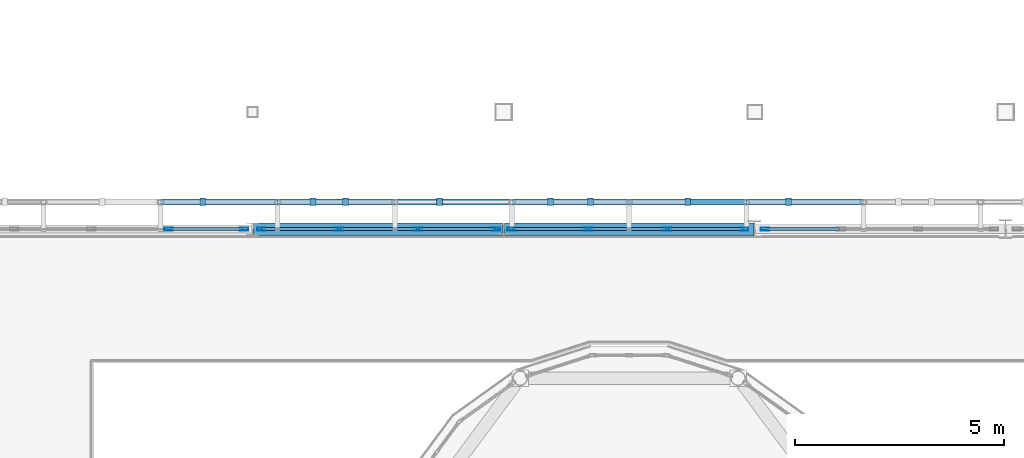
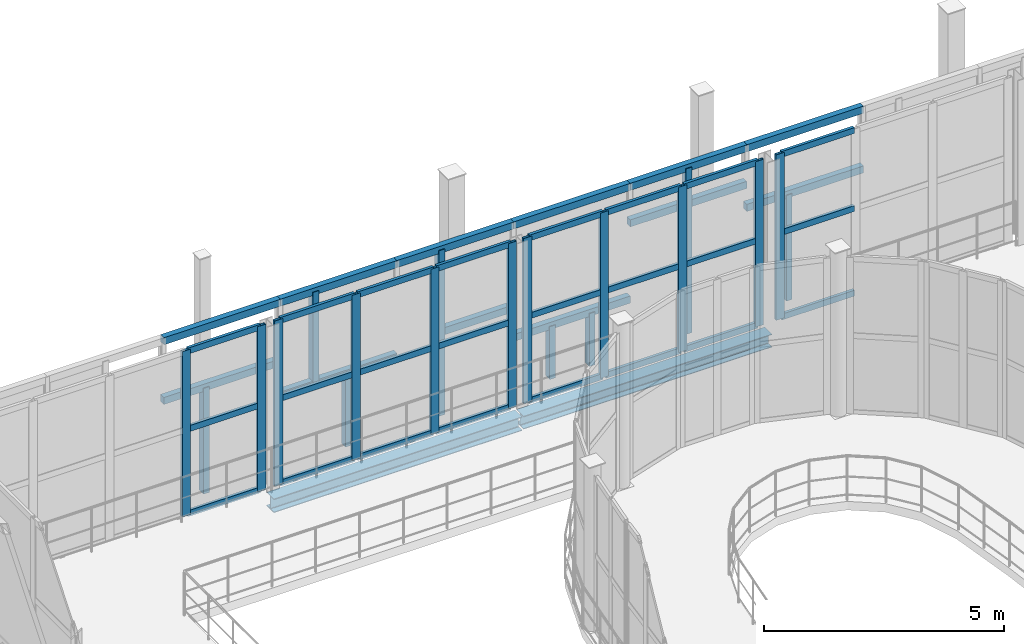
# One storey, part 46 of 138: 55 members, 2 beams, 4 elements without a shape of their own.
"""IFC4 building model written with IfcOpenShell, lengths in metres."""

from ifc_helpers import new_model, si_unit, direction, frame, origin, origin_2d, place, context, subcontext, project, spatial, rectangle, hollow_rectangle, i_section, extrude, material, layer, layer_set, material_profile, profile_set, type_object, element, aggregate, save


model = new_model("IFC4")

# Units and contexts
model_context = context("Model", 3, precision=1e-05, world=origin(), true_north=direction((0.0, 1.0)))
body_context = subcontext(model_context, "Body", "Model", "MODEL_VIEW")
ifc_project = project(units=[si_unit("LENGTHUNIT", "METRE"), si_unit("AREAUNIT", "SQUARE_METRE"), si_unit("VOLUMEUNIT", "CUBIC_METRE"), si_unit("PLANEANGLEUNIT", "RADIAN"), si_unit("MASSUNIT", "GRAM", prefix="KILO")], contexts=[model_context])

# Site, building, storey
site_placement = place(None, origin())
site = spatial("IfcSite", under=ifc_project, at=site_placement, CompositionType="ELEMENT")
building_placement = place(site_placement, origin())
building = spatial("IfcBuilding", under=site, at=building_placement, Name="Vinh Khe Railworks Police Headquarters", CompositionType="ELEMENT")
storey_placement = place(building_placement, frame((0.0, 0.0, 9.0)))
storey = spatial("IfcBuildingStorey", under=building, at=storey_placement, Name="L02", CompositionType="ELEMENT", Elevation=9.0)

# Members
ifc_material_1 = material(Name="Salvaged ironwood timber", Category="wood")
ifc_material_profile_1 = material_profile(ifc_material_1, rectangle(XDim=0.139892578125, YDim=0.179931640625, at=origin_2d()), Name="TIMBER 140x180")
ifc_profile_set_1 = profile_set([ifc_material_profile_1], Name="Salvaged ironwood timber")
member_type_1 = type_object("IfcMemberType", Name="MEM-QUILT-STILE", PredefinedType="CHORD", material=ifc_profile_set_1)
for number, where, z_axis, x_axis, name in (
    (1, (32.0, 59.449951171875, 4.1201171875), (1.0, 0.0, 0.0), (0.0, 1.0, 0.0), "Salvaged Timber Quilt Transom N-L02-02-TOP"),
    (2, (32.0, 59.449951171875, 2.60400390625), (1.0, 0.0, 0.0), (0.0, 1.0, 0.0), "Salvaged Timber Quilt Transom N-L02-02-M1"),
):
    element("IfcMember", number, at=place(storey_placement, frame(where, z_axis=z_axis, x_axis=x_axis)), inside=storey, type_object=member_type_1, Name=name, PredefinedType="CHORD", context=body_context, shape_type="SweptSolid", body=[
        extrude(rectangle(XDim=0.139892578125, YDim=0.179931640625, at=origin_2d()), origin(), (0.0, 0.0, 1.0), 2.800048828125),
    ])
member_1_placement = place(storey_placement, frame((33.008056640625, 59.449951171875, -0.080078125), z_axis=(0.0, 0.0, 1.0), x_axis=(1.0, 0.0, 0.0)))
element("IfcMember", 3, at=member_1_placement, inside=storey, type_object=member_type_1, Name="Salvaged Timber Quilt Stile N-L02-02-V1", PredefinedType="POST", context=body_context, shape_type="SweptSolid", body=[
    extrude(rectangle(XDim=0.139892578125, YDim=0.179931640625, at=origin_2d()), origin(), (0.0, 0.0, 1.0), 2.68408203125),
])
for number, where, z_axis, x_axis, name in (
    (4, (34.800048828125, 59.449951171875, 4.1201171875), (1.0, 0.0, 0.0), (0.0, 1.0, 0.0), "Salvaged Timber Quilt Transom N-L02-03-TOP"),
    (5, (34.800048828125, 59.449951171875, 1.763916015625), (1.0, 0.0, 0.0), (0.0, 1.0, 0.0), "Salvaged Timber Quilt Transom N-L02-03-M1"),
):
    element("IfcMember", number, at=place(storey_placement, frame(where, z_axis=z_axis, x_axis=x_axis)), inside=storey, type_object=member_type_1, Name=name, PredefinedType="CHORD", context=body_context, shape_type="SweptSolid", body=[
        extrude(rectangle(XDim=0.139892578125, YDim=0.179931640625, at=origin_2d()), origin(), (0.0, 0.0, 1.0), 2.800048828125),
    ])
member_2_placement = place(storey_placement, frame((36.424072265625, 59.449951171875, -0.080078125), z_axis=(0.0, 0.0, 1.0), x_axis=(1.0, 0.0, 0.0)))
element("IfcMember", 6, at=member_2_placement, inside=storey, type_object=member_type_1, Name="Salvaged Timber Quilt Stile N-L02-03-V1", PredefinedType="POST", context=body_context, shape_type="SweptSolid", body=[
    extrude(rectangle(XDim=0.139892578125, YDim=0.179931640625, at=origin_2d()), origin(), (0.0, 0.0, 1.0), 1.843994140625),
])
member_3_placement = place(storey_placement, frame((35.639892578125, 59.449951171875, 1.763916015625), z_axis=(0.0, 0.0, 1.0), x_axis=(1.0, 0.0, 0.0)))
element("IfcMember", 7, at=member_3_placement, inside=storey, type_object=member_type_1, Name="Salvaged Timber Quilt Stile N-L02-03-V2", PredefinedType="POST", context=body_context, shape_type="SweptSolid", body=[
    extrude(rectangle(XDim=0.139892578125, YDim=0.179931640625, at=origin_2d()), origin(), (0.0, 0.0, 1.0), 2.356201171875),
])
member_4_placement = place(storey_placement, frame((37.60009765625, 59.449951171875, 4.1201171875), z_axis=(1.0, 0.0, 0.0), x_axis=(0.0, 1.0, 0.0)))
element("IfcMember", 8, at=member_4_placement, inside=storey, type_object=member_type_1, Name="Salvaged Timber Quilt Transom N-L02-04-TOP", PredefinedType="CHORD", context=body_context, shape_type="SweptSolid", body=[
    extrude(rectangle(XDim=0.139892578125, YDim=0.179931640625, at=origin_2d()), origin(), (0.0, 0.0, 1.0), 2.7998046875),
])
member_5_placement = place(storey_placement, frame((38.6640625, 59.449951171875, -0.080078125), z_axis=(0.0, 0.0, 1.0), x_axis=(1.0, 0.0, 0.0)))
element("IfcMember", 9, at=member_5_placement, inside=storey, type_object=member_type_1, Name="Salvaged Timber Quilt Stile N-L02-04-V1", PredefinedType="POST", context=body_context, shape_type="SweptSolid", body=[
    extrude(rectangle(XDim=0.139892578125, YDim=0.179931640625, at=origin_2d()), origin(), (0.0, 0.0, 1.0), 4.2001953125),
])
member_6_placement = place(storey_placement, frame((38.6640625, 59.449951171875, 2.01611328125), z_axis=(1.0, 0.0, 0.0), x_axis=(0.0, 1.0, 0.0)))
element("IfcMember", 10, at=member_6_placement, inside=storey, type_object=member_type_1, Name="Salvaged Timber Quilt Transom N-L02-04-M1", PredefinedType="CHORD", context=body_context, shape_type="SweptSolid", body=[
    extrude(rectangle(XDim=0.139892578125, YDim=0.179931640625, at=origin_2d()), origin(), (0.0, 0.0, 1.0), 1.73583984375),
])
for number, where, z_axis, x_axis, name in (
    (11, (40.39990234375, 59.449951171875, 4.1201171875), (1.0, 0.0, 0.0), (0.0, 1.0, 0.0), "Salvaged Timber Quilt Transom N-L02-05-TOP"),
    (12, (40.39990234375, 59.449951171875, 1.260009765625), (1.0, 0.0, 0.0), (0.0, 1.0, 0.0), "Salvaged Timber Quilt Transom N-L02-05-M1"),
):
    element("IfcMember", number, at=place(storey_placement, frame(where, z_axis=z_axis, x_axis=x_axis)), inside=storey, type_object=member_type_1, Name=name, PredefinedType="CHORD", context=body_context, shape_type="SweptSolid", body=[
        extrude(rectangle(XDim=0.139892578125, YDim=0.179931640625, at=origin_2d()), origin(), (0.0, 0.0, 1.0), 2.800048828125),
    ])
for number, where, z_axis, x_axis, name in (
    (13, (41.323974609375, 59.449951171875, -0.080078125), (0.0, 0.0, 1.0), (1.0, 0.0, 0.0), "Salvaged Timber Quilt Stile N-L02-05-V1"),
    (14, (42.27587890625, 59.449951171875, -0.080078125), (0.0, 0.0, 1.0), (1.0, 0.0, 0.0), "Salvaged Timber Quilt Stile N-L02-05-V2"),
):
    element("IfcMember", number, at=place(storey_placement, frame(where, z_axis=z_axis, x_axis=x_axis)), inside=storey, type_object=member_type_1, Name=name, PredefinedType="POST", context=body_context, shape_type="SweptSolid", body=[
        extrude(rectangle(XDim=0.139892578125, YDim=0.179931640625, at=origin_2d()), origin(), (0.0, 0.0, 1.0), 1.340087890625),
    ])
for number, where, z_axis, x_axis, name in (
    (15, (43.199951171875, 59.449951171875, 4.1201171875), (1.0, 0.0, 0.0), (0.0, 1.0, 0.0), "Salvaged Timber Quilt Transom N-L02-06-TOP"),
    (16, (43.199951171875, 59.449951171875, 3.19189453125), (1.0, 0.0, 0.0), (0.0, 1.0, 0.0), "Salvaged Timber Quilt Transom N-L02-06-M1"),
):
    element("IfcMember", number, at=place(storey_placement, frame(where, z_axis=z_axis, x_axis=x_axis)), inside=storey, type_object=member_type_1, Name=name, PredefinedType="CHORD", context=body_context, shape_type="SweptSolid", body=[
        extrude(rectangle(XDim=0.139892578125, YDim=0.179931640625, at=origin_2d()), origin(), (0.0, 0.0, 1.0), 2.800048828125),
    ])
member_7_placement = place(storey_placement, frame((44.60009765625, 59.449951171875, -0.080078125), z_axis=(0.0, 0.0, 1.0), x_axis=(1.0, 0.0, 0.0)))
element("IfcMember", 17, at=member_7_placement, inside=storey, type_object=member_type_1, Name="Salvaged Timber Quilt Stile N-L02-06-V1", PredefinedType="POST", context=body_context, shape_type="SweptSolid", body=[
    extrude(rectangle(XDim=0.139892578125, YDim=0.179931640625, at=origin_2d()), origin(), (0.0, 0.0, 1.0), 4.2001953125),
])
for number, where, z_axis, x_axis, name in (
    (18, (46.0, 59.449951171875, 4.1201171875), (1.0, 0.0, 0.0), (0.0, 1.0, 0.0), "Salvaged Timber Quilt Transom N-L02-07-TOP"),
    (19, (46.0, 59.449951171875, 2.60400390625), (1.0, 0.0, 0.0), (0.0, 1.0, 0.0), "Salvaged Timber Quilt Transom N-L02-07-M1"),
):
    element("IfcMember", number, at=place(storey_placement, frame(where, z_axis=z_axis, x_axis=x_axis)), inside=storey, type_object=member_type_1, Name=name, PredefinedType="CHORD", context=body_context, shape_type="SweptSolid", body=[
        extrude(rectangle(XDim=0.139892578125, YDim=0.179931640625, at=origin_2d()), origin(), (0.0, 0.0, 1.0), 2.800048828125),
    ])
member_8_placement = place(storey_placement, frame((47.008056640625, 59.449951171875, -0.080078125), z_axis=(0.0, 0.0, 1.0), x_axis=(1.0, 0.0, 0.0)))
element("IfcMember", 20, at=member_8_placement, inside=storey, type_object=member_type_1, Name="Salvaged Timber Quilt Stile N-L02-07-V1", PredefinedType="POST", context=body_context, shape_type="SweptSolid", body=[
    extrude(rectangle(XDim=0.139892578125, YDim=0.179931640625, at=origin_2d()), origin(), (0.0, 0.0, 1.0), 2.68408203125),
])

# Curtain wall, members
ifc_material_2 = material(Name="Anodised aluminium and low-iron glass", Category="aluminium")
ifc_layer = layer(ifc_material_2, 0.179931640625)
ifc_layer_set = layer_set([ifc_layer], Name="Anodised aluminium and low-iron glass")
curtain_wall_type = type_object("IfcCurtainWallType", Name="CW-CUBE-UNIT", PredefinedType="USERDEFINED", material=ifc_layer_set)
curtain_wall_1_placement = place(storey_placement, origin())
curtain_wall_1 = element("IfcCurtainWall", 21, at=curtain_wall_1_placement, inside=storey, type_object=curtain_wall_type, Name="Entrance Hall Curtain Wall L02 N-1", ObjectType="UNITISED GLAZING", PredefinedType="USERDEFINED")
ifc_material_3 = material(Name="Anodised aluminium 6063-T6", Category="aluminium")
ifc_material_profile_2 = material_profile(ifc_material_3, hollow_rectangle(XDim=0.070068359375, YDim=0.199951171875, WallThickness=0.0048828125, at=origin_2d()), Name="CW-M 70x200x5")
ifc_profile_set_2 = profile_set([ifc_material_profile_2], Name="Anodised aluminium 6063-T6")
member_type_2 = type_object("IfcMemberType", Name="MULL-CWM-03", PredefinedType="MULLION", material=ifc_profile_set_2)
member_9_placement = place(storey_placement, frame((32.188720703125, 58.800048828125, 0.0), z_axis=(0.0, 0.0, 1.0), x_axis=(0.0, 1.0, 0.0)))
member_9 = element("IfcMember", 22, at=member_9_placement, type_object=member_type_2, Name="CW-01 mullion 4", PredefinedType="MULLION", context=body_context, shape_type="SweptSolid", body=[
    extrude(hollow_rectangle(XDim=0.070068359375, YDim=0.199951171875, WallThickness=0.0048828125, at=origin_2d()), origin(), (0.0, 0.0, 1.0), 4.199951171875),
])
member_10_placement = place(storey_placement, frame((33.9951171875, 58.800048828125, 0.0), z_axis=(0.0, 0.0, 1.0), x_axis=(0.0, 1.0, 0.0)))
member_10 = element("IfcMember", 23, at=member_10_placement, type_object=member_type_2, Name="CW-01 mullion 5", PredefinedType="MULLION", context=body_context, shape_type="SweptSolid", body=[
    extrude(hollow_rectangle(XDim=0.070068359375, YDim=0.199951171875, WallThickness=0.0048828125, at=origin_2d()), origin(), (0.0, 0.0, 1.0), 4.199951171875),
])

curtain_wall_2_placement = place(storey_placement, origin())
curtain_wall_2 = element("IfcCurtainWall", 24, at=curtain_wall_2_placement, inside=storey, type_object=curtain_wall_type, Name="Entrance Hall Curtain Wall L02 N-2", ObjectType="UNITISED GLAZING", PredefinedType="USERDEFINED")
member_11_placement = place(storey_placement, frame((34.405029296875, 58.800048828125, 0.0), z_axis=(0.0, 0.0, 1.0), x_axis=(0.0, 1.0, 0.0)))
member_11 = element("IfcMember", 25, at=member_11_placement, type_object=member_type_2, Name="CW-01 mullion 1", PredefinedType="MULLION", context=body_context, shape_type="SweptSolid", body=[
    extrude(hollow_rectangle(XDim=0.070068359375, YDim=0.199951171875, WallThickness=0.0048828125, at=origin_2d()), origin(), (0.0, 0.0, 1.0), 4.199951171875),
])
member_12_placement = place(storey_placement, frame((36.263427734375, 58.800048828125, 0.0), z_axis=(0.0, 0.0, 1.0), x_axis=(0.0, 1.0, 0.0)))
member_12 = element("IfcMember", 26, at=member_12_placement, type_object=member_type_2, Name="CW-01 mullion 2", PredefinedType="MULLION", context=body_context, shape_type="SweptSolid", body=[
    extrude(hollow_rectangle(XDim=0.070068359375, YDim=0.199951171875, WallThickness=0.0048828125, at=origin_2d()), origin(), (0.0, 0.0, 1.0), 4.199951171875),
])
member_13_placement = place(storey_placement, frame((38.15673828125, 58.800048828125, 0.0), z_axis=(0.0, 0.0, 1.0), x_axis=(0.0, 1.0, 0.0)))
member_13 = element("IfcMember", 27, at=member_13_placement, type_object=member_type_2, Name="CW-01 mullion 3", PredefinedType="MULLION", context=body_context, shape_type="SweptSolid", body=[
    extrude(hollow_rectangle(XDim=0.070068359375, YDim=0.199951171875, WallThickness=0.0048828125, at=origin_2d()), origin(), (0.0, 0.0, 1.0), 4.199951171875),
])
member_14_placement = place(storey_placement, frame((40.014892578125, 58.800048828125, 0.0), z_axis=(0.0, 0.0, 1.0), x_axis=(0.0, 1.0, 0.0)))
member_14 = element("IfcMember", 28, at=member_14_placement, type_object=member_type_2, Name="CW-01 mullion 4", PredefinedType="MULLION", context=body_context, shape_type="SweptSolid", body=[
    extrude(hollow_rectangle(XDim=0.070068359375, YDim=0.199951171875, WallThickness=0.0048828125, at=origin_2d()), origin(), (0.0, 0.0, 1.0), 4.199951171875),
])

curtain_wall_3_placement = place(storey_placement, origin())
curtain_wall_3 = element("IfcCurtainWall", 29, at=curtain_wall_3_placement, inside=storey, type_object=curtain_wall_type, Name="Entrance Hall Curtain Wall L02 N-3", ObjectType="UNITISED GLAZING", PredefinedType="USERDEFINED")
member_15_placement = place(storey_placement, frame((40.385009765625, 58.800048828125, 0.0), z_axis=(0.0, 0.0, 1.0), x_axis=(0.0, 1.0, 0.0)))
member_15 = element("IfcMember", 30, at=member_15_placement, type_object=member_type_2, Name="CW-01 mullion 1", PredefinedType="MULLION", context=body_context, shape_type="SweptSolid", body=[
    extrude(hollow_rectangle(XDim=0.070068359375, YDim=0.199951171875, WallThickness=0.0048828125, at=origin_2d()), origin(), (0.0, 0.0, 1.0), 4.199951171875),
])
member_16_placement = place(storey_placement, frame((42.228271484375, 58.800048828125, 0.0), z_axis=(0.0, 0.0, 1.0), x_axis=(0.0, 1.0, 0.0)))
member_16 = element("IfcMember", 31, at=member_16_placement, type_object=member_type_2, Name="CW-01 mullion 2", PredefinedType="MULLION", context=body_context, shape_type="SweptSolid", body=[
    extrude(hollow_rectangle(XDim=0.070068359375, YDim=0.199951171875, WallThickness=0.0048828125, at=origin_2d()), origin(), (0.0, 0.0, 1.0), 4.199951171875),
])
member_17_placement = place(storey_placement, frame((44.106689453125, 58.800048828125, 0.0), z_axis=(0.0, 0.0, 1.0), x_axis=(0.0, 1.0, 0.0)))
member_17 = element("IfcMember", 32, at=member_17_placement, type_object=member_type_2, Name="CW-01 mullion 3", PredefinedType="MULLION", context=body_context, shape_type="SweptSolid", body=[
    extrude(hollow_rectangle(XDim=0.070068359375, YDim=0.199951171875, WallThickness=0.0048828125, at=origin_2d()), origin(), (0.0, 0.0, 1.0), 4.199951171875),
])
member_18_placement = place(storey_placement, frame((45.949951171875, 58.800048828125, 0.0), z_axis=(0.0, 0.0, 1.0), x_axis=(0.0, 1.0, 0.0)))
member_18 = element("IfcMember", 33, at=member_18_placement, type_object=member_type_2, Name="CW-01 mullion 4", PredefinedType="MULLION", context=body_context, shape_type="SweptSolid", body=[
    extrude(hollow_rectangle(XDim=0.070068359375, YDim=0.199951171875, WallThickness=0.0048828125, at=origin_2d()), origin(), (0.0, 0.0, 1.0), 4.199951171875),
])

# Curtain wall, member
curtain_wall_4_placement = place(storey_placement, origin())
curtain_wall_4 = element("IfcCurtainWall", 34, at=curtain_wall_4_placement, inside=storey, type_object=curtain_wall_type, Name="Entrance Hall Curtain Wall L02 N-4", ObjectType="UNITISED GLAZING", PredefinedType="USERDEFINED")
member_19_placement = place(storey_placement, frame((46.449951171875, 58.800048828125, 0.0), z_axis=(0.0, 0.0, 1.0), x_axis=(0.0, 1.0, 0.0)))
member_19 = element("IfcMember", 35, at=member_19_placement, type_object=member_type_2, Name="CW-01 mullion 1", PredefinedType="MULLION", context=body_context, shape_type="SweptSolid", body=[
    extrude(hollow_rectangle(XDim=0.070068359375, YDim=0.199951171875, WallThickness=0.0048828125, at=origin_2d()), origin(), (0.0, 0.0, 1.0), 4.199951171875),
])

# Beams
ifc_material_4 = material(Name="Steel S355JR", Category="steel")
ifc_material_profile_3 = material_profile(ifc_material_4, i_section(OverallWidth=0.300048828125, OverallDepth=0.330078125, WebThickness=0.009521484375, FlangeThickness=0.0166015625, FilletRadius=0.027099609375, at=origin_2d()), Name="HEA 340")
ifc_profile_set_3 = profile_set([ifc_material_profile_3], Name="Steel S355JR")
beam_type_1 = type_object("IfcBeamType", Name="Steel Girder HEA 340", PredefinedType="BEAM", material=ifc_profile_set_3)
beam_1_placement = place(storey_placement, frame((40.219970703125, 58.800048828125, -0.385009765625), z_axis=(1.0, 0.0, 0.0), x_axis=(0.0, 1.0, 0.0)))
element("IfcBeam", 36, at=beam_1_placement, inside=storey, type_object=beam_type_1, Name="Girder BM-L02-EW-SB-16-0788", PredefinedType="BEAM", context=body_context, shape_type="SweptSolid", body=[
    extrude(i_section(OverallWidth=0.300048828125, OverallDepth=0.330078125, WebThickness=0.009521484375, FlangeThickness=0.0166015625, FilletRadius=0.027099609375, at=origin_2d()), origin(), (0.0, 0.0, 1.0), 5.9599609375),
])
ifc_material_profile_4 = material_profile(ifc_material_4, i_section(OverallWidth=0.300048828125, OverallDepth=0.35009765625, WebThickness=0.010009765625, FlangeThickness=0.017578125, FilletRadius=0.027099609375, at=origin_2d()), Name="HEA 360")
ifc_profile_set_4 = profile_set([ifc_material_profile_4], Name="Steel S355JR")
beam_type_2 = type_object("IfcBeamType", Name="Steel Girder HEA 360", PredefinedType="BEAM", material=ifc_profile_set_4)
beam_2_placement = place(storey_placement, frame((34.219970703125, 58.800048828125, -0.39501953125), z_axis=(1.0, 0.0, 0.0), x_axis=(0.0, 1.0, 0.0)))
element("IfcBeam", 37, at=beam_2_placement, inside=storey, type_object=beam_type_2, Name="Girder BM-L02-EW-SB-15-0787", PredefinedType="BEAM", context=body_context, shape_type="SweptSolid", body=[
    extrude(i_section(OverallWidth=0.300048828125, OverallDepth=0.35009765625, WebThickness=0.010009765625, FlangeThickness=0.017578125, FilletRadius=0.027099609375, at=origin_2d()), origin(), (0.0, 0.0, 1.0), 5.9599609375),
])

# Member
ifc_material_profile_5 = material_profile(ifc_material_3, hollow_rectangle(XDim=0.070068359375, YDim=0.14990234375, WallThickness=0.0048828125, at=origin_2d()), Name="CW-T 70x150x5")
ifc_profile_set_5 = profile_set([ifc_material_profile_5], Name="Anodised aluminium 6063-T6")
member_type_3 = type_object("IfcMemberType", Name="TRAN-CWT-03", PredefinedType="USERDEFINED", material=ifc_profile_set_5)
member_20_placement = place(storey_placement, frame((32.2236328125, 58.800048828125, 0.034912109375), z_axis=(1.0, 0.0, 0.0), x_axis=(0.0, 1.0, 0.0)))
member_20 = element("IfcMember", 38, at=member_20_placement, type_object=member_type_3, Name="CW-01 transom 4.1", ObjectType="TRANSOM", PredefinedType="USERDEFINED", context=body_context, shape_type="SweptSolid", body=[
    extrude(hollow_rectangle(XDim=0.070068359375, YDim=0.14990234375, WallThickness=0.0048828125, at=origin_2d()), origin(), (0.0, 0.0, 1.0), 1.736328125),
])

member_21_placement = place(storey_placement, frame((32.2236328125, 58.800048828125, 2.18408203125), z_axis=(1.0, 0.0, 0.0), x_axis=(0.0, 1.0, 0.0)))
member_21 = element("IfcMember", 39, at=member_21_placement, type_object=member_type_3, Name="CW-01 transom 4.2", ObjectType="TRANSOM", PredefinedType="USERDEFINED", context=body_context, shape_type="SweptSolid", body=[
    extrude(hollow_rectangle(XDim=0.070068359375, YDim=0.14990234375, WallThickness=0.0048828125, at=origin_2d()), origin(), (0.0, 0.0, 1.0), 1.736328125),
])

member_22_placement = place(storey_placement, frame((32.2236328125, 58.800048828125, 4.1650390625), z_axis=(1.0, 0.0, 0.0), x_axis=(0.0, 1.0, 0.0)))
member_22 = element("IfcMember", 40, at=member_22_placement, type_object=member_type_3, Name="CW-01 transom 4.3", ObjectType="TRANSOM", PredefinedType="USERDEFINED", context=body_context, shape_type="SweptSolid", body=[
    extrude(hollow_rectangle(XDim=0.070068359375, YDim=0.14990234375, WallThickness=0.0048828125, at=origin_2d()), origin(), (0.0, 0.0, 1.0), 1.736328125),
])

aggregate(curtain_wall_1, [member_9, member_10, member_20, member_21, member_22])

member_23_placement = place(storey_placement, frame((34.43994140625, 58.800048828125, 0.034912109375), z_axis=(1.0, 0.0, 0.0), x_axis=(0.0, 1.0, 0.0)))
member_23 = element("IfcMember", 41, at=member_23_placement, type_object=member_type_3, Name="CW-01 transom 1.1", ObjectType="TRANSOM", PredefinedType="USERDEFINED", context=body_context, shape_type="SweptSolid", body=[
    extrude(hollow_rectangle(XDim=0.070068359375, YDim=0.14990234375, WallThickness=0.0048828125, at=origin_2d()), origin(), (0.0, 0.0, 1.0), 1.788330078125),
])

member_24_placement = place(storey_placement, frame((34.43994140625, 58.800048828125, 2.18408203125), z_axis=(1.0, 0.0, 0.0), x_axis=(0.0, 1.0, 0.0)))
member_24 = element("IfcMember", 42, at=member_24_placement, type_object=member_type_3, Name="CW-01 transom 1.2", ObjectType="TRANSOM", PredefinedType="USERDEFINED", context=body_context, shape_type="SweptSolid", body=[
    extrude(hollow_rectangle(XDim=0.070068359375, YDim=0.14990234375, WallThickness=0.0048828125, at=origin_2d()), origin(), (0.0, 0.0, 1.0), 1.788330078125),
])

member_25_placement = place(storey_placement, frame((34.43994140625, 58.800048828125, 4.1650390625), z_axis=(1.0, 0.0, 0.0), x_axis=(0.0, 1.0, 0.0)))
member_25 = element("IfcMember", 43, at=member_25_placement, type_object=member_type_3, Name="CW-01 transom 1.3", ObjectType="TRANSOM", PredefinedType="USERDEFINED", context=body_context, shape_type="SweptSolid", body=[
    extrude(hollow_rectangle(XDim=0.070068359375, YDim=0.14990234375, WallThickness=0.0048828125, at=origin_2d()), origin(), (0.0, 0.0, 1.0), 1.788330078125),
])

member_26_placement = place(storey_placement, frame((36.29833984375, 58.800048828125, 0.034912109375), z_axis=(1.0, 0.0, 0.0), x_axis=(0.0, 1.0, 0.0)))
member_26 = element("IfcMember", 44, at=member_26_placement, type_object=member_type_3, Name="CW-01 transom 2.1", ObjectType="TRANSOM", PredefinedType="USERDEFINED", context=body_context, shape_type="SweptSolid", body=[
    extrude(hollow_rectangle(XDim=0.070068359375, YDim=0.14990234375, WallThickness=0.0048828125, at=origin_2d()), origin(), (0.0, 0.0, 1.0), 1.8232421875),
])

member_27_placement = place(storey_placement, frame((36.29833984375, 58.800048828125, 2.18408203125), z_axis=(1.0, 0.0, 0.0), x_axis=(0.0, 1.0, 0.0)))
member_27 = element("IfcMember", 45, at=member_27_placement, type_object=member_type_3, Name="CW-01 transom 2.2", ObjectType="TRANSOM", PredefinedType="USERDEFINED", context=body_context, shape_type="SweptSolid", body=[
    extrude(hollow_rectangle(XDim=0.070068359375, YDim=0.14990234375, WallThickness=0.0048828125, at=origin_2d()), origin(), (0.0, 0.0, 1.0), 1.8232421875),
])

member_28_placement = place(storey_placement, frame((36.29833984375, 58.800048828125, 4.1650390625), z_axis=(1.0, 0.0, 0.0), x_axis=(0.0, 1.0, 0.0)))
member_28 = element("IfcMember", 46, at=member_28_placement, type_object=member_type_3, Name="CW-01 transom 2.3", ObjectType="TRANSOM", PredefinedType="USERDEFINED", context=body_context, shape_type="SweptSolid", body=[
    extrude(hollow_rectangle(XDim=0.070068359375, YDim=0.14990234375, WallThickness=0.0048828125, at=origin_2d()), origin(), (0.0, 0.0, 1.0), 1.8232421875),
])

member_29_placement = place(storey_placement, frame((38.191650390625, 58.800048828125, 0.034912109375), z_axis=(1.0, 0.0, 0.0), x_axis=(0.0, 1.0, 0.0)))
member_29 = element("IfcMember", 47, at=member_29_placement, type_object=member_type_3, Name="CW-01 transom 3.1", ObjectType="TRANSOM", PredefinedType="USERDEFINED", context=body_context, shape_type="SweptSolid", body=[
    extrude(hollow_rectangle(XDim=0.070068359375, YDim=0.14990234375, WallThickness=0.0048828125, at=origin_2d()), origin(), (0.0, 0.0, 1.0), 1.788330078125),
])

member_30_placement = place(storey_placement, frame((38.191650390625, 58.800048828125, 2.18408203125), z_axis=(1.0, 0.0, 0.0), x_axis=(0.0, 1.0, 0.0)))
member_30 = element("IfcMember", 48, at=member_30_placement, type_object=member_type_3, Name="CW-01 transom 3.2", ObjectType="TRANSOM", PredefinedType="USERDEFINED", context=body_context, shape_type="SweptSolid", body=[
    extrude(hollow_rectangle(XDim=0.070068359375, YDim=0.14990234375, WallThickness=0.0048828125, at=origin_2d()), origin(), (0.0, 0.0, 1.0), 1.788330078125),
])

member_31_placement = place(storey_placement, frame((38.191650390625, 58.800048828125, 4.1650390625), z_axis=(1.0, 0.0, 0.0), x_axis=(0.0, 1.0, 0.0)))
member_31 = element("IfcMember", 49, at=member_31_placement, type_object=member_type_3, Name="CW-01 transom 3.3", ObjectType="TRANSOM", PredefinedType="USERDEFINED", context=body_context, shape_type="SweptSolid", body=[
    extrude(hollow_rectangle(XDim=0.070068359375, YDim=0.14990234375, WallThickness=0.0048828125, at=origin_2d()), origin(), (0.0, 0.0, 1.0), 1.788330078125),
])

aggregate(curtain_wall_2, [member_11, member_12, member_13, member_14, member_23, member_24, member_25, member_26, member_27, member_28, member_29, member_30, member_31])

member_32_placement = place(storey_placement, frame((40.419921875, 58.800048828125, 0.034912109375), z_axis=(1.0, 0.0, 0.0), x_axis=(0.0, 1.0, 0.0)))
member_32 = element("IfcMember", 50, at=member_32_placement, type_object=member_type_3, Name="CW-01 transom 1.1", ObjectType="TRANSOM", PredefinedType="USERDEFINED", context=body_context, shape_type="SweptSolid", body=[
    extrude(hollow_rectangle(XDim=0.070068359375, YDim=0.14990234375, WallThickness=0.0048828125, at=origin_2d()), origin(), (0.0, 0.0, 1.0), 1.7734375),
])

member_33_placement = place(storey_placement, frame((40.419921875, 58.800048828125, 2.18408203125), z_axis=(1.0, 0.0, 0.0), x_axis=(0.0, 1.0, 0.0)))
member_33 = element("IfcMember", 51, at=member_33_placement, type_object=member_type_3, Name="CW-01 transom 1.2", ObjectType="TRANSOM", PredefinedType="USERDEFINED", context=body_context, shape_type="SweptSolid", body=[
    extrude(hollow_rectangle(XDim=0.070068359375, YDim=0.14990234375, WallThickness=0.0048828125, at=origin_2d()), origin(), (0.0, 0.0, 1.0), 1.7734375),
])

member_34_placement = place(storey_placement, frame((40.419921875, 58.800048828125, 4.1650390625), z_axis=(1.0, 0.0, 0.0), x_axis=(0.0, 1.0, 0.0)))
member_34 = element("IfcMember", 52, at=member_34_placement, type_object=member_type_3, Name="CW-01 transom 1.3", ObjectType="TRANSOM", PredefinedType="USERDEFINED", context=body_context, shape_type="SweptSolid", body=[
    extrude(hollow_rectangle(XDim=0.070068359375, YDim=0.14990234375, WallThickness=0.0048828125, at=origin_2d()), origin(), (0.0, 0.0, 1.0), 1.7734375),
])

member_35_placement = place(storey_placement, frame((42.263427734375, 58.800048828125, 0.034912109375), z_axis=(1.0, 0.0, 0.0), x_axis=(0.0, 1.0, 0.0)))
member_35 = element("IfcMember", 53, at=member_35_placement, type_object=member_type_3, Name="CW-01 transom 2.1", ObjectType="TRANSOM", PredefinedType="USERDEFINED", context=body_context, shape_type="SweptSolid", body=[
    extrude(hollow_rectangle(XDim=0.070068359375, YDim=0.14990234375, WallThickness=0.0048828125, at=origin_2d()), origin(), (0.0, 0.0, 1.0), 1.808349609375),
])

member_36_placement = place(storey_placement, frame((42.263427734375, 58.800048828125, 2.18408203125), z_axis=(1.0, 0.0, 0.0), x_axis=(0.0, 1.0, 0.0)))
member_36 = element("IfcMember", 54, at=member_36_placement, type_object=member_type_3, Name="CW-01 transom 2.2", ObjectType="TRANSOM", PredefinedType="USERDEFINED", context=body_context, shape_type="SweptSolid", body=[
    extrude(hollow_rectangle(XDim=0.070068359375, YDim=0.14990234375, WallThickness=0.0048828125, at=origin_2d()), origin(), (0.0, 0.0, 1.0), 1.808349609375),
])

member_37_placement = place(storey_placement, frame((42.263427734375, 58.800048828125, 4.1650390625), z_axis=(1.0, 0.0, 0.0), x_axis=(0.0, 1.0, 0.0)))
member_37 = element("IfcMember", 55, at=member_37_placement, type_object=member_type_3, Name="CW-01 transom 2.3", ObjectType="TRANSOM", PredefinedType="USERDEFINED", context=body_context, shape_type="SweptSolid", body=[
    extrude(hollow_rectangle(XDim=0.070068359375, YDim=0.14990234375, WallThickness=0.0048828125, at=origin_2d()), origin(), (0.0, 0.0, 1.0), 1.808349609375),
])

member_38_placement = place(storey_placement, frame((44.1416015625, 58.800048828125, 0.034912109375), z_axis=(1.0, 0.0, 0.0), x_axis=(0.0, 1.0, 0.0)))
member_38 = element("IfcMember", 56, at=member_38_placement, type_object=member_type_3, Name="CW-01 transom 3.1", ObjectType="TRANSOM", PredefinedType="USERDEFINED", context=body_context, shape_type="SweptSolid", body=[
    extrude(hollow_rectangle(XDim=0.070068359375, YDim=0.14990234375, WallThickness=0.0048828125, at=origin_2d()), origin(), (0.0, 0.0, 1.0), 1.7734375),
])

member_39_placement = place(storey_placement, frame((44.1416015625, 58.800048828125, 2.18408203125), z_axis=(1.0, 0.0, 0.0), x_axis=(0.0, 1.0, 0.0)))
member_39 = element("IfcMember", 57, at=member_39_placement, type_object=member_type_3, Name="CW-01 transom 3.2", ObjectType="TRANSOM", PredefinedType="USERDEFINED", context=body_context, shape_type="SweptSolid", body=[
    extrude(hollow_rectangle(XDim=0.070068359375, YDim=0.14990234375, WallThickness=0.0048828125, at=origin_2d()), origin(), (0.0, 0.0, 1.0), 1.7734375),
])

member_40_placement = place(storey_placement, frame((44.1416015625, 58.800048828125, 4.1650390625), z_axis=(1.0, 0.0, 0.0), x_axis=(0.0, 1.0, 0.0)))
member_40 = element("IfcMember", 58, at=member_40_placement, type_object=member_type_3, Name="CW-01 transom 3.3", ObjectType="TRANSOM", PredefinedType="USERDEFINED", context=body_context, shape_type="SweptSolid", body=[
    extrude(hollow_rectangle(XDim=0.070068359375, YDim=0.14990234375, WallThickness=0.0048828125, at=origin_2d()), origin(), (0.0, 0.0, 1.0), 1.7734375),
])

aggregate(curtain_wall_3, [member_15, member_16, member_17, member_18, member_32, member_33, member_34, member_35, member_36, member_37, member_38, member_39, member_40])

member_41_placement = place(storey_placement, frame((46.485107421875, 58.800048828125, 0.034912109375), z_axis=(1.0, 0.0, 0.0), x_axis=(0.0, 1.0, 0.0)))
member_41 = element("IfcMember", 59, at=member_41_placement, type_object=member_type_3, Name="CW-01 transom 1.1", ObjectType="TRANSOM", PredefinedType="USERDEFINED", context=body_context, shape_type="SweptSolid", body=[
    extrude(hollow_rectangle(XDim=0.070068359375, YDim=0.14990234375, WallThickness=0.0048828125, at=origin_2d()), origin(), (0.0, 0.0, 1.0), 1.7431640625),
])

member_42_placement = place(storey_placement, frame((46.485107421875, 58.800048828125, 2.18408203125), z_axis=(1.0, 0.0, 0.0), x_axis=(0.0, 1.0, 0.0)))
member_42 = element("IfcMember", 60, at=member_42_placement, type_object=member_type_3, Name="CW-01 transom 1.2", ObjectType="TRANSOM", PredefinedType="USERDEFINED", context=body_context, shape_type="SweptSolid", body=[
    extrude(hollow_rectangle(XDim=0.070068359375, YDim=0.14990234375, WallThickness=0.0048828125, at=origin_2d()), origin(), (0.0, 0.0, 1.0), 1.7431640625),
])

member_43_placement = place(storey_placement, frame((46.485107421875, 58.800048828125, 4.1650390625), z_axis=(1.0, 0.0, 0.0), x_axis=(0.0, 1.0, 0.0)))
member_43 = element("IfcMember", 61, at=member_43_placement, type_object=member_type_3, Name="CW-01 transom 1.3", ObjectType="TRANSOM", PredefinedType="USERDEFINED", context=body_context, shape_type="SweptSolid", body=[
    extrude(hollow_rectangle(XDim=0.070068359375, YDim=0.14990234375, WallThickness=0.0048828125, at=origin_2d()), origin(), (0.0, 0.0, 1.0), 1.7431640625),
])

aggregate(curtain_wall_4, [member_19, member_41, member_42, member_43])

save(model, "model.ifc")
